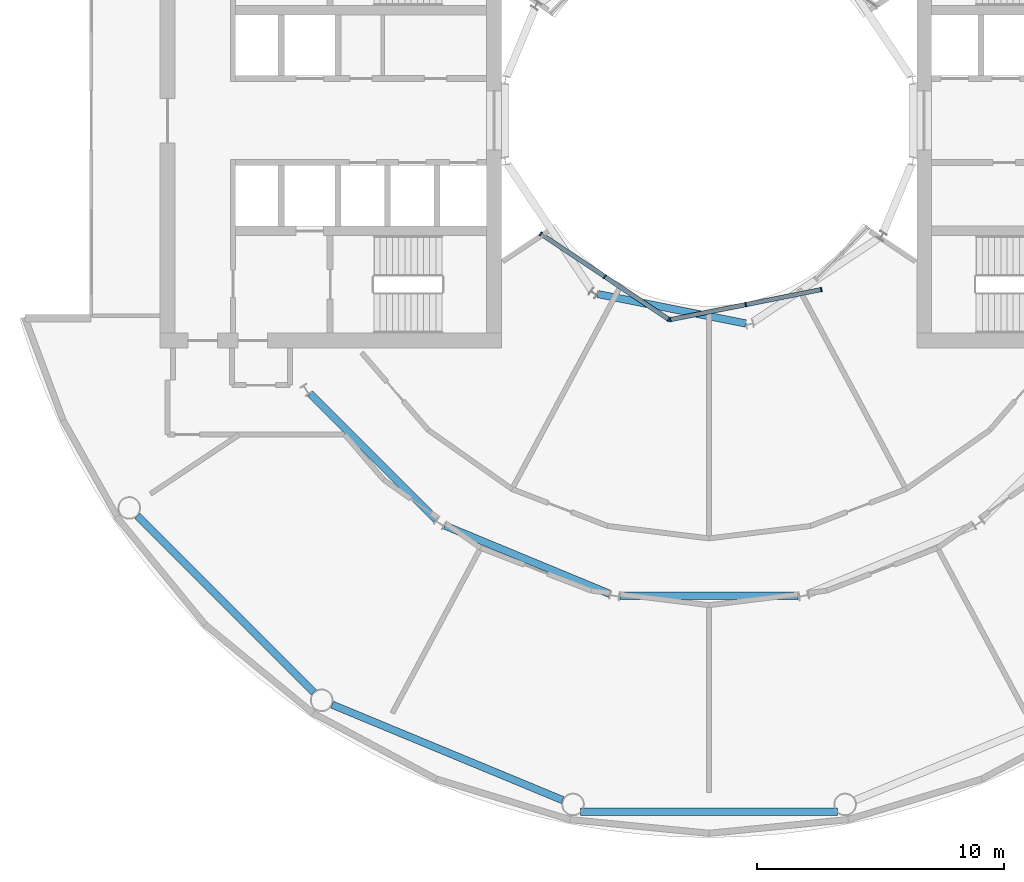
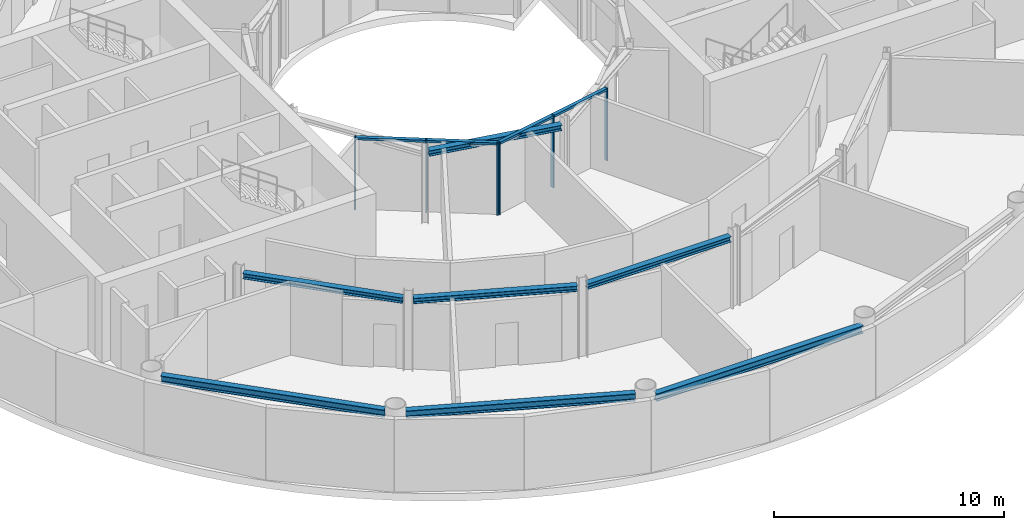
# One storey, part 5 of 18: 10 members, 7 beams, 2 elements without a shape of their own.
"""IFC4 building model written with IfcOpenShell, lengths in metres."""

import ifcopenshell
import ifcopenshell.guid

model = None  # the IFC model being written
_history = None  # IfcOwnerHistory: only IFC2X3 demands one
_inside = {}  # id of a spatial element -> (the spatial element, [elements in it])
_under = {}  # id of a project, library or spatial element -> (it, [spatial elements below it])
_declared = {}  # id of a project -> (the project, [libraries it declares])
_typed = {}  # id of a type object -> (the type object, [elements of that type])
_made_of = {}  # id of a material, layer set ... -> (it, [elements and type objects made of it])


def new_model(schema):
    """Start an empty IFC model of exactly this schema.

    Asked for "IFC4X3", IfcOpenShell would pick the latest addendum, in which some entities
    have other attributes; the version numbers below select the first issue.
    IFC2X3 requires an IfcOwnerHistory on every rooted entity: one is made here for all.
    """
    global model, _history
    if schema == "IFC4X3":
        model = ifcopenshell.file(schema_version=(4, 3, 0, 0))
    else:
        model = ifcopenshell.file(schema=schema)
    _inside.clear()
    _under.clear()
    _declared.clear()
    _typed.clear()
    _made_of.clear()
    _history = None
    if model.schema == "IFC2X3":
        org = make("IfcOrganization", Name="unknown")
        user = make(
            "IfcPersonAndOrganization",
            ThePerson=make("IfcPerson", FamilyName="unknown"),
            TheOrganization=org,
        )
        app = make(
            "IfcApplication",
            ApplicationDeveloper=org,
            Version="unknown",
            ApplicationFullName="unknown",
            ApplicationIdentifier="unknown",
        )
        _history = make(
            "IfcOwnerHistory",
            OwningUser=user,
            OwningApplication=app,
            ChangeAction="ADDED",
            CreationDate=0,
        )
    return model


def make(cls, **values):
    """One entity of the class cls with the attributes given. An attribute that is None is left unset."""
    return model.create_entity(
        cls, **{name: value for name, value in values.items() if value is not None}
    )


def rooted(cls, **values):
    """An entity with a GlobalId (a new one), such as an element, a storey or a relation."""
    return make(cls, GlobalId=ifcopenshell.guid.new(), OwnerHistory=_history, **values)


def si_unit(unit_type, name, prefix=None):
    """IfcSIUnit, for example si_unit("LENGTHUNIT", "METRE", prefix="MILLI")."""
    return make("IfcSIUnit", UnitType=unit_type, Prefix=prefix, Name=name)


def assignment(units):
    """IfcUnitAssignment: the units of a project."""
    return None if units is None else make("IfcUnitAssignment", Units=units)


def point(xyz):
    """IfcCartesianPoint."""
    return None if xyz is None else make("IfcCartesianPoint", Coordinates=xyz)


def direction(xyz):
    """IfcDirection."""
    return None if xyz is None else make("IfcDirection", DirectionRatios=xyz)


def frame(location, z_axis=None, x_axis=None):
    """IfcAxis2Placement3D, a coordinate frame: its origin and axes. An axis left out is left unset."""
    return make(
        "IfcAxis2Placement3D",
        Location=point(location),
        Axis=direction(z_axis),
        RefDirection=direction(x_axis),
    )


def frame_2d(location, x_axis=None):
    """IfcAxis2Placement2D, a coordinate frame in the plane: its origin and x axis."""
    return make(
        "IfcAxis2Placement2D", Location=point(location), RefDirection=direction(x_axis)
    )


def origin():
    """The frame at (0, 0, 0) with its axes left unset."""
    return frame((0.0, 0.0, 0.0))


def origin_2d():
    """The frame at (0, 0) in the plane with its x axis left unset."""
    return frame_2d((0.0, 0.0))


def place(relative_to, where):
    """IfcLocalPlacement: puts the frame where relative to a parent placement (None: the world)."""
    return make(
        "IfcLocalPlacement", PlacementRelTo=relative_to, RelativePlacement=where
    )


def context(
    kind, dimensions, precision=None, world=None, true_north=None, identifier=None
):
    """IfcGeometricRepresentationContext, for example the 3D "Model" context."""
    return make(
        "IfcGeometricRepresentationContext",
        ContextIdentifier=identifier,
        ContextType=kind,
        CoordinateSpaceDimension=dimensions,
        Precision=precision,
        WorldCoordinateSystem=world,
        TrueNorth=true_north,
    )


def subcontext(parent, identifier, kind, view, scale=None):
    """IfcGeometricRepresentationSubContext, for example "Body" below "Model"."""
    return make(
        "IfcGeometricRepresentationSubContext",
        ContextIdentifier=identifier,
        ContextType=kind,
        ParentContext=parent,
        TargetScale=scale,
        TargetView=view,
    )


def project(units=None, contexts=None):
    """IfcProject with its units and contexts."""
    return rooted(
        "IfcProject",
        Name="project",
        RepresentationContexts=contexts,
        UnitsInContext=assignment(units),
    )


def spatial(cls, under=None, at=None, **own):
    """A site, building, storey or space (cls), placed at a placement, below another one or the project."""
    s = rooted(cls, ObjectPlacement=at, **own)
    if under is not None:
        _under.setdefault(under.id(), (under, []))[1].append(s)
    return s


def profile(cls, at=None, kind="AREA", **sizes):
    """A parametric profile (cls). Its sizes go by their IFC names, for example OverallWidth=200.0."""
    return make(cls, ProfileType=kind, Position=at, **sizes)


def rectangle(**sizes):
    """IfcRectangleProfileDef."""
    return profile("IfcRectangleProfileDef", **sizes)


def i_section(**sizes):
    """IfcIShapeProfileDef."""
    return profile("IfcIShapeProfileDef", **sizes)


def extrude(swept, where, along, depth):
    """IfcExtrudedAreaSolid: the profile swept, set in the frame where, extruded along a direction by depth."""
    return make(
        "IfcExtrudedAreaSolid",
        SweptArea=swept,
        Position=where,
        ExtrudedDirection=direction(along),
        Depth=depth,
    )


def shape(context_of_items, identifier, shape_type, items):
    """IfcShapeRepresentation: the items that make up one representation, for example the "Body"."""
    return make(
        "IfcShapeRepresentation",
        ContextOfItems=context_of_items,
        RepresentationIdentifier=identifier,
        RepresentationType=shape_type,
        Items=items,
    )


def material(Name=None, Category=None):
    """IfcMaterial."""
    return make("IfcMaterial", Name=Name, Category=Category)


def layer(
    of_material, thickness, ventilated=None, Name=None, Category=None, Priority=None
):
    """IfcMaterialLayer: one layer of a wall or slab, of a material (None: an air gap)."""
    return make(
        "IfcMaterialLayer",
        Material=of_material,
        LayerThickness=thickness,
        IsVentilated=ventilated,
        Name=Name,
        Category=Category,
        Priority=Priority,
    )


def layer_set(layers, Name=None):
    """IfcMaterialLayerSet."""
    return make("IfcMaterialLayerSet", MaterialLayers=layers, LayerSetName=Name)


def material_profile(
    of_material, cross_section, Name=None, Category=None, Priority=None
):
    """IfcMaterialProfile: a cross section and its material."""
    return make(
        "IfcMaterialProfile",
        Name=Name,
        Material=of_material,
        Profile=cross_section,
        Priority=Priority,
        Category=Category,
    )


def profile_set(profiles, Name=None, composite=None):
    """IfcMaterialProfileSet."""
    return make(
        "IfcMaterialProfileSet",
        Name=Name,
        MaterialProfiles=profiles,
        CompositeProfile=composite,
    )


def made_of(thing, what):
    """Note that an element or type object is made of a material, layer set ...; save() writes the relation."""
    if what is not None:
        _made_of.setdefault(what.id(), (what, []))[1].append(thing)
    return thing


def type_object(cls, material=None, **own):
    """A type object (cls), such as IfcWallType, which elements share."""
    return made_of(rooted(cls, **own), material)


def element(
    cls,
    number,
    at=None,
    inside=None,
    cuts=None,
    type_object=None,
    material=None,
    context=None,
    identifier="Body",
    shape_type=None,
    held_by="IfcProductDefinitionShape",
    body=None,
    shapes=None,
    **own,
):
    """One element of the class cls, such as IfcWall. Its Tag is "e" and its number.

    at: its placement. inside: the storey or other place that contains it. cuts: it is an
    opening in that element (IfcRelVoidsElement). A single representation is given by context,
    identifier, shape_type and body (its items); several are given by shapes. held_by: the class
    of the entity that holds the representations. save() writes the other relations.
    """
    e = rooted(cls, Tag="e%d" % number, ObjectPlacement=at, **own)
    if body is not None:
        shapes = [shape(context, identifier, shape_type, body)]
    if shapes is not None:
        e.Representation = make(held_by, Representations=shapes)
    if inside is not None:
        _inside.setdefault(inside.id(), (inside, []))[1].append(e)
    if cuts is not None:
        rooted(
            "IfcRelVoidsElement", RelatingBuildingElement=cuts, RelatedOpeningElement=e
        )
    if type_object is not None:
        _typed.setdefault(type_object.id(), (type_object, []))[1].append(e)
    return made_of(e, material)


def aggregate(whole, parts):
    """IfcRelAggregates: a whole, such as a stair, and the parts it consists of."""
    return rooted("IfcRelAggregates", RelatingObject=whole, RelatedObjects=parts)


def save(model, path):
    """Write the relations noted so far, then the file.

    IfcRelAggregates (storeys below a building ...), IfcRelContainedInSpatialStructure (elements
    in a storey), IfcRelDefinesByType, IfcRelAssociatesMaterial and IfcRelDeclares: one each for
    every whole, place, type object, material and project.
    """
    for whole, parts in _under.values():
        aggregate(whole, parts)
    for where, things in _inside.values():
        rooted(
            "IfcRelContainedInSpatialStructure",
            RelatedElements=things,
            RelatingStructure=where,
        )
    for kind, things in _typed.values():
        rooted("IfcRelDefinesByType", RelatedObjects=things, RelatingType=kind)
    for what, things in _made_of.values():
        rooted("IfcRelAssociatesMaterial", RelatedObjects=things, RelatingMaterial=what)
    for by, libraries in _declared.values():
        rooted("IfcRelDeclares", RelatingContext=by, RelatedDefinitions=libraries)
    model.write(path)


model = new_model("IFC4")

# Units and contexts
model_context = context("Model", 3, precision=1e-05, world=origin(), true_north=direction((0.0, 1.0)))
body_context = subcontext(model_context, "Body", "Model", "MODEL_VIEW")
ifc_project = project(units=[si_unit("LENGTHUNIT", "METRE"), si_unit("AREAUNIT", "SQUARE_METRE"), si_unit("VOLUMEUNIT", "CUBIC_METRE"), si_unit("PLANEANGLEUNIT", "RADIAN"), si_unit("MASSUNIT", "GRAM", prefix="KILO")], contexts=[model_context])

# Site, building, storey
site_placement = place(None, origin())
site = spatial("IfcSite", under=ifc_project, at=site_placement, CompositionType="ELEMENT")
building_placement = place(site_placement, origin())
building = spatial("IfcBuilding", under=site, at=building_placement, Name="Maasbend Ring Residences", CompositionType="ELEMENT")
storey_placement = place(building_placement, frame((0.0, 0.0, 103.25)))
storey = spatial("IfcBuildingStorey", under=building, at=storey_placement, Name="L29", CompositionType="ELEMENT", Elevation=103.25)

# Curtain wall, members
ifc_material_1 = material(Name="Aluminium and clear glass", Category="aluminium")
ifc_layer = layer(ifc_material_1, 0.179931640625)
ifc_layer_set = layer_set([ifc_layer], Name="CW-W")
curtain_wall_type = type_object("IfcCurtainWallType", Name="CW-W", PredefinedType="NOTDEFINED", material=ifc_layer_set)
curtain_wall_1_placement = place(storey_placement, origin())
curtain_wall_1 = element("IfcCurtainWall", 1, at=curtain_wall_1_placement, inside=storey, type_object=curtain_wall_type, Name="Well curtain wall S1", PredefinedType="NOTDEFINED")
ifc_material_2 = material(Name="Aluminium 6063-T6", Category="aluminium")
ifc_material_profile_1 = material_profile(ifc_material_2, rectangle(XDim=0.179931640625, YDim=0.06005859375, at=origin_2d()), Name="AL 180x60")
ifc_profile_set_1 = profile_set([ifc_material_profile_1], Name="Aluminium 6063-T6")
member_type_1 = type_object("IfcMemberType", Name="CWM-W", PredefinedType="MULLION", material=ifc_profile_set_1)
member_1_placement = place(storey_placement, frame((-6.805908203125, -4.580810546875, 0.0), z_axis=(0.0, 0.0, 1.0), x_axis=(0.55557023302, 0.831469612303, 0.0)))
member_1 = element("IfcMember", 2, at=member_1_placement, type_object=member_type_1, Name="Mullion well face", PredefinedType="MULLION", context=body_context, shape_type="SweptSolid", body=[
    extrude(rectangle(XDim=0.179931640625, YDim=0.06005859375, at=origin_2d()), origin(), (0.0, 0.0, 1.0), 3.85009765625),
])
member_2_placement = place(storey_placement, frame((-4.216796875, -6.310791015625, 0.0), z_axis=(0.0, 0.0, 1.0), x_axis=(0.55557023302, 0.831469612303, 0.0)))
member_2 = element("IfcMember", 3, at=member_2_placement, type_object=member_type_1, Name="Mullion well face", PredefinedType="MULLION", context=body_context, shape_type="SweptSolid", body=[
    extrude(rectangle(XDim=0.179931640625, YDim=0.06005859375, at=origin_2d()), origin(), (0.0, 0.0, 1.0), 3.85009765625),
])
member_3_placement = place(storey_placement, frame((-1.627685546875, -8.040771484375, 0.0), z_axis=(0.0, 0.0, 1.0), x_axis=(0.55557023302, 0.831469612303, 0.0)))
member_3 = element("IfcMember", 4, at=member_3_placement, type_object=member_type_1, Name="Mullion well face", PredefinedType="MULLION", context=body_context, shape_type="SweptSolid", body=[
    extrude(rectangle(XDim=0.179931640625, YDim=0.06005859375, at=origin_2d()), origin(), (0.0, 0.0, 1.0), 3.85009765625),
])

curtain_wall_2_placement = place(storey_placement, origin())
curtain_wall_2 = element("IfcCurtainWall", 5, at=curtain_wall_2_placement, inside=storey, type_object=curtain_wall_type, Name="Well curtain wall S2", PredefinedType="NOTDEFINED")
member_4_placement = place(storey_placement, frame((-1.5732421875, -8.0517578125, 0.0), z_axis=(0.0, 0.0, 1.0), x_axis=(-0.195090322016, 0.980785280403, 0.0)))
member_4 = element("IfcMember", 6, at=member_4_placement, type_object=member_type_1, Name="Mullion well face", PredefinedType="MULLION", context=body_context, shape_type="SweptSolid", body=[
    extrude(rectangle(XDim=0.179931640625, YDim=0.06005859375, at=origin_2d()), origin(), (0.0, 0.0, 1.0), 3.85009765625),
])
member_5_placement = place(storey_placement, frame((1.480712890625, -7.444091796875, 0.0), z_axis=(0.0, 0.0, 1.0), x_axis=(-0.195090322016, 0.980785280403, 0.0)))
member_5 = element("IfcMember", 7, at=member_5_placement, type_object=member_type_1, Name="Mullion well face", PredefinedType="MULLION", context=body_context, shape_type="SweptSolid", body=[
    extrude(rectangle(XDim=0.179931640625, YDim=0.06005859375, at=origin_2d()), origin(), (0.0, 0.0, 1.0), 3.85009765625),
])
member_6_placement = place(storey_placement, frame((4.53466796875, -6.836669921875, 0.0), z_axis=(0.0, 0.0, 1.0), x_axis=(-0.195090322016, 0.980785280403, 0.0)))
member_6 = element("IfcMember", 8, at=member_6_placement, type_object=member_type_1, Name="Mullion well face", PredefinedType="MULLION", context=body_context, shape_type="SweptSolid", body=[
    extrude(rectangle(XDim=0.179931640625, YDim=0.06005859375, at=origin_2d()), origin(), (0.0, 0.0, 1.0), 3.85009765625),
])

# Member
ifc_material_3 = material(Name="Aluminium 6063-T6", Category="aluminium")
ifc_material_profile_2 = material_profile(ifc_material_3, rectangle(XDim=0.179931640625, YDim=0.1201171875, at=origin_2d()), Name="AL 180x120")
ifc_profile_set_2 = profile_set([ifc_material_profile_2], Name="Aluminium 6063-T6")
member_type_2 = type_object("IfcMemberType", Name="CWT-W", PredefinedType="USERDEFINED", material=ifc_profile_set_2)
member_7_placement = place(storey_placement, frame((-6.781005859375, -4.59765625, 3.7900390625), z_axis=(0.831496422459, -0.555530106689, 0.0), x_axis=(0.555530106689, 0.831496422459, 0.0)))
member_7 = element("IfcMember", 9, at=member_7_placement, type_object=member_type_2, Name="Transom well face", ObjectType="TRANSOM", PredefinedType="USERDEFINED", context=body_context, shape_type="SweptSolid", body=[
    extrude(rectangle(XDim=0.179931640625, YDim=0.1201171875, at=origin_2d()), origin(), (0.0, 0.0, 1.0), 3.053955078125),
])

member_8_placement = place(storey_placement, frame((-4.19189453125, -6.32763671875, 3.7900390625), z_axis=(0.831496422459, -0.555530106689, 0.0), x_axis=(0.555530106689, 0.831496422459, 0.0)))
member_8 = element("IfcMember", 10, at=member_8_placement, type_object=member_type_2, Name="Transom well face", ObjectType="TRANSOM", PredefinedType="USERDEFINED", context=body_context, shape_type="SweptSolid", body=[
    extrude(rectangle(XDim=0.179931640625, YDim=0.1201171875, at=origin_2d()), origin(), (0.0, 0.0, 1.0), 3.053955078125),
])

aggregate(curtain_wall_1, [member_1, member_2, member_3, member_7, member_8])

member_9_placement = place(storey_placement, frame((-1.5439453125, -8.0458984375, 3.7900390625), z_axis=(0.980776956105, 0.195132166424, 0.0), x_axis=(-0.195132166424, 0.980776956105, 0.0)))
member_9 = element("IfcMember", 11, at=member_9_placement, type_object=member_type_2, Name="Transom well face", ObjectType="TRANSOM", PredefinedType="USERDEFINED", context=body_context, shape_type="SweptSolid", body=[
    extrude(rectangle(XDim=0.179931640625, YDim=0.1201171875, at=origin_2d()), origin(), (0.0, 0.0, 1.0), 3.053955078125),
])

member_10_placement = place(storey_placement, frame((1.51025390625, -7.438232421875, 3.7900390625), z_axis=(0.980789210404, 0.19507056353, 0.0), x_axis=(-0.19507056353, 0.980789210404, 0.0)))
member_10 = element("IfcMember", 12, at=member_10_placement, type_object=member_type_2, Name="Transom well face", ObjectType="TRANSOM", PredefinedType="USERDEFINED", context=body_context, shape_type="SweptSolid", body=[
    extrude(rectangle(XDim=0.179931640625, YDim=0.1201171875, at=origin_2d()), origin(), (0.0, 0.0, 1.0), 3.0537109375),
])

aggregate(curtain_wall_2, [member_4, member_5, member_6, member_9, member_10])

# Beams
ifc_material_4 = material(Name="Steel S355J2", Category="steel")
ifc_material_profile_3 = material_profile(ifc_material_4, i_section(OverallWidth=0.300048828125, OverallDepth=0.2900390625, WebThickness=0.008544921875, FlangeThickness=0.013916015625, FilletRadius=0.027099609375, at=origin_2d()), Name="HEA 300")
ifc_profile_set_3 = profile_set([ifc_material_profile_3], Name="Steel S355J2")
beam_type_1 = type_object("IfcBeamType", Name="Corridor ring beam HEA 300", PredefinedType="BEAM", material=ifc_profile_set_3)
for number, where, z_axis, x_axis, name in (
    (13, (-16.14111328125, -11.044921875, 3.705078125), (0.707106781187, -0.707106781187, 0.0), (0.707106781187, 0.707106781187, 0.0), "Corridor ring beam"),
    (14, (-10.685791015625, -16.381103515625, 3.705078125), (0.923877693919, -0.382687871089, 0.0), (0.382687871089, 0.923877693919, 0.0), "Corridor ring beam"),
    (15, (-3.603515625, -19.223388671875, 3.705078125), (1.0, 0.0, 0.0), (0.0, 1.0, 0.0), "Corridor ring beam"),
):
    element("IfcBeam", number, at=place(storey_placement, frame(where, z_axis=z_axis, x_axis=x_axis)), inside=storey, type_object=beam_type_1, Name=name, PredefinedType="BEAM", context=body_context, shape_type="SweptSolid", body=[
        extrude(i_section(OverallWidth=0.300048828125, OverallDepth=0.2900390625, WebThickness=0.008544921875, FlangeThickness=0.013916015625, FilletRadius=0.027099609375, at=origin_2d()), origin(), (0.0, 0.0, 1.0), 7.20703125),
    ])
ifc_material_5 = material(Name="Steel S355J2", Category="steel")
ifc_material_profile_4 = material_profile(ifc_material_5, i_section(OverallWidth=0.300048828125, OverallDepth=0.39990234375, WebThickness=0.013427734375, FlangeThickness=0.02392578125, FilletRadius=0.027099609375, at=origin_2d()), Name="HEB 400")
ifc_profile_set_4 = profile_set([ifc_material_profile_4], Name="Steel S355J2")
beam_type_2 = type_object("IfcBeamType", Name="Spandrel ring beam HEB 400", PredefinedType="SPANDREL", material=ifc_profile_set_4)
for number, where, z_axis, x_axis, name in (
    (16, (-23.124267578125, -15.990234375, 3.64990234375), (0.707106781187, -0.707106781187, 0.0), (0.707106781187, 0.707106781187, 0.0), "Spandrel ring beam"),
    (17, (-15.244873046875, -23.622314453125, 3.64990234375), (0.92388529709, -0.382669515144, 0.0), (0.382669515144, 0.92388529709, 0.0), "Spandrel ring beam"),
):
    element("IfcBeam", number, at=place(storey_placement, frame(where, z_axis=z_axis, x_axis=x_axis)), inside=storey, type_object=beam_type_2, Name=name, PredefinedType="SPANDREL", context=body_context, shape_type="SweptSolid", body=[
        extrude(i_section(OverallWidth=0.300048828125, OverallDepth=0.39990234375, WebThickness=0.013427734375, FlangeThickness=0.02392578125, FilletRadius=0.027099609375, at=origin_2d()), origin(), (0.0, 0.0, 1.0), 10.089111328125),
    ])
beam_1_placement = place(storey_placement, frame((-5.194580078125, -27.9580078125, 3.64990234375), z_axis=(1.0, 0.0, 0.0), x_axis=(0.0, 1.0, 0.0)))
element("IfcBeam", 18, at=beam_1_placement, inside=storey, type_object=beam_type_2, Name="Spandrel ring beam", PredefinedType="SPANDREL", context=body_context, shape_type="SweptSolid", body=[
    extrude(i_section(OverallWidth=0.300048828125, OverallDepth=0.39990234375, WebThickness=0.013427734375, FlangeThickness=0.02392578125, FilletRadius=0.027099609375, at=origin_2d()), origin(), (0.0, 0.0, 1.0), 10.38916015625),
])
ifc_material_6 = material(Name="Steel S355J2", Category="steel")
ifc_material_profile_5 = material_profile(ifc_material_6, i_section(OverallWidth=0.300048828125, OverallDepth=0.2900390625, WebThickness=0.008544921875, FlangeThickness=0.013916015625, FilletRadius=0.027099609375, at=origin_2d()), Name="HEA 300")
ifc_profile_set_5 = profile_set([ifc_material_profile_5], Name="Steel S355J2")
beam_type_3 = type_object("IfcBeamType", Name="Well edge beam HEA 300", PredefinedType="BEAM", material=ifc_profile_set_5)
beam_2_placement = place(storey_placement, frame((-4.507568359375, -7.01611328125, 3.705078125), z_axis=(0.980792381321, -0.195054619896, 0.0), x_axis=(0.195054619896, 0.980792381321, 0.0)))
element("IfcBeam", 19, at=beam_2_placement, inside=storey, type_object=beam_type_3, Name="Well edge beam", PredefinedType="BEAM", context=body_context, shape_type="SweptSolid", body=[
    extrude(i_section(OverallWidth=0.300048828125, OverallDepth=0.2900390625, WebThickness=0.008544921875, FlangeThickness=0.013916015625, FilletRadius=0.027099609375, at=origin_2d()), origin(), (0.0, 0.0, 1.0), 6.104248046875),
])

save(model, "model.ifc")
